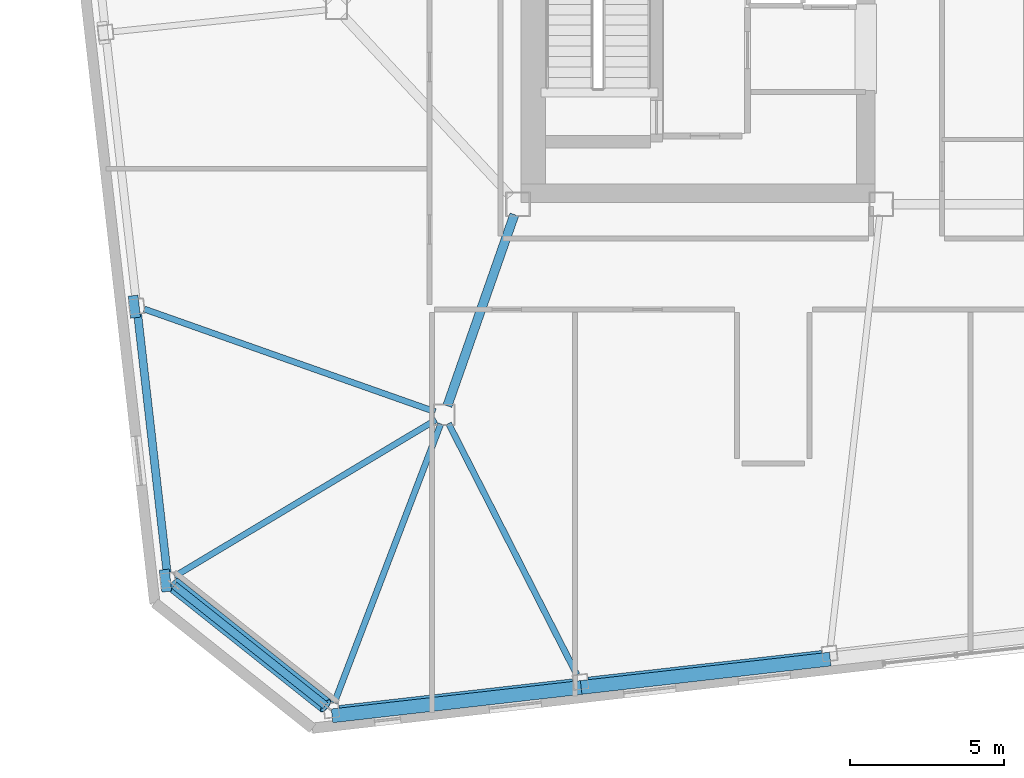
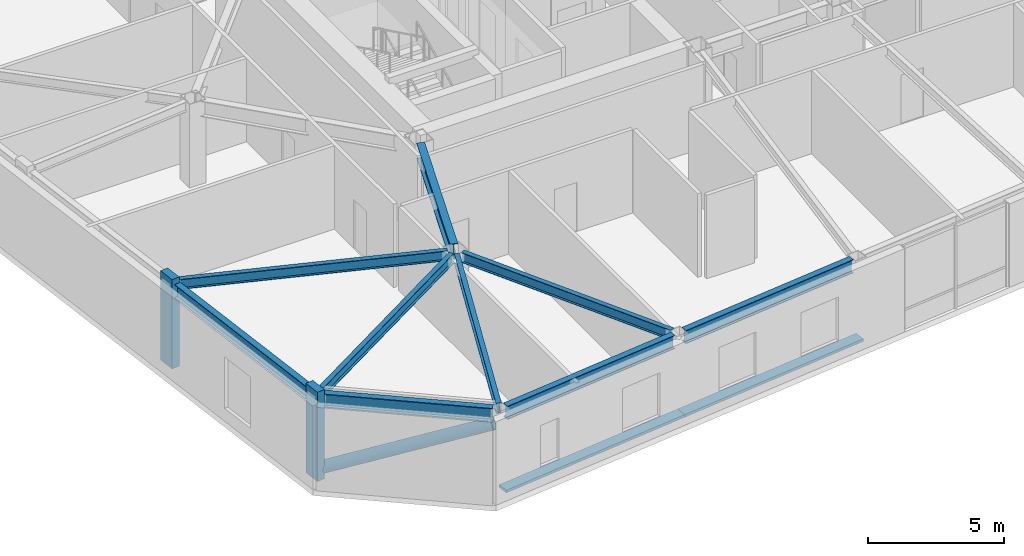
# One storey, part 3 of 19: 9 beams, 5 members.
"""IFC4 building model written with IfcOpenShell, lengths in metres."""

from ifc_helpers import new_model, si_unit, direction, frame, origin, origin_2d, place, context, subcontext, project, spatial, rectangle, hollow_circle, i_section, extrude, material, material_profile, profile_set, type_object, element, save


model = new_model("IFC4")

# Units and contexts
model_context = context("Model", 3, precision=1e-05, world=origin(), true_north=direction((0.0, 1.0)))
body_context = subcontext(model_context, "Body", "Model", "MODEL_VIEW")
ifc_project = project(units=[si_unit("LENGTHUNIT", "METRE"), si_unit("AREAUNIT", "SQUARE_METRE"), si_unit("VOLUMEUNIT", "CUBIC_METRE"), si_unit("PLANEANGLEUNIT", "RADIAN"), si_unit("MASSUNIT", "GRAM", prefix="KILO")], contexts=[model_context])

# Site, building, storey
site_placement = place(None, origin())
site = spatial("IfcSite", under=ifc_project, at=site_placement, CompositionType="ELEMENT")
building_placement = place(site_placement, origin())
building = spatial("IfcBuilding", under=site, at=building_placement, Name="Tavrogorsk Clinical Tower", CompositionType="ELEMENT")
storey_placement = place(building_placement, frame((0.0, 0.0, 263.0)))
storey = spatial("IfcBuildingStorey", under=building, at=storey_placement, Name="L61", CompositionType="ELEMENT", Elevation=263.0)

# Members
ifc_material_1 = material(Name="Anodised aluminium alloy AW-6063", Category="aluminium")
ifc_material_profile_1 = material_profile(ifc_material_1, rectangle(XDim=0.449951171875, YDim=0.1201171875, at=origin_2d()), Name="ALU-SUNSHADE-450x120")
ifc_profile_set_1 = profile_set([ifc_material_profile_1], Name="Anodised aluminium alloy AW-6063")
member_type_1 = type_object("IfcMemberType", Name="ChicagoSunshade_450x120", PredefinedType="USERDEFINED", material=ifc_profile_set_1)
for number, where, z_axis, x_axis, name in (
    (1, (-28.144287109375, -22.981201171875, 0.179931640625), (0.9935729766, 0.113193375116, 0.0), (-0.113193375116, 0.9935729766, 0.0), "L61 South Aluminium Sunshade S1"),
    (2, (-20.048095703125, -22.058837890625, 0.179931640625), (0.9935729766, 0.113193375116, 0.0), (-0.113193375116, 0.9935729766, 0.0), "L61 South Aluminium Sunshade S2"),
):
    element("IfcMember", number, at=place(storey_placement, frame(where, z_axis=z_axis, x_axis=x_axis)), inside=storey, type_object=member_type_1, Name=name, ObjectType="SUNSHADE", PredefinedType="USERDEFINED", context=body_context, shape_type="SweptSolid", body=[
        extrude(rectangle(XDim=0.449951171875, YDim=0.1201171875, at=origin_2d()), origin(), (0.0, 0.0, 1.0), 8.148681640625),
    ])
ifc_material_2 = material(Name="Structural steel S440", Category="steel")
ifc_material_profile_2 = material_profile(ifc_material_2, hollow_circle(Radius=0.25390625, WallThickness=0.02001953125, at=origin_2d()), Name="CHS-508x20")
ifc_profile_set_2 = profile_set([ifc_material_profile_2], Name="Structural steel S440")
member_type_2 = type_object("IfcMemberType", Name="ExoBrace_CHS508", PredefinedType="BRACE", material=ifc_profile_set_2)
member_placement = place(storey_placement, frame((-33.29052734375, -18.725341796875, 0.398193359375), z_axis=(0.723851679348, -0.575789482159, 0.380138420237), x_axis=(0.622522488852, 0.782601910855, 0.0)))
element("IfcMember", 3, at=member_placement, inside=storey, type_object=member_type_2, Name="L61 Corner Exoskeleton Brace W5-S1", PredefinedType="BRACE", context=body_context, shape_type="SweptSolid", body=[
    extrude(hollow_circle(Radius=0.25390625, WallThickness=0.02001953125, at=origin_2d()), origin(), (0.0, 0.0, 1.0), 6.8232421875),
])

# Beams
ifc_material_3 = material(Name="Structural steel S355", Category="steel")
ifc_material_profile_3 = material_profile(ifc_material_3, i_section(OverallWidth=0.199951171875, OverallDepth=0.449951171875, WebThickness=0.011474609375, FlangeThickness=0.01806640625, at=origin_2d()), Name="B-450x200x11.5x18")
ifc_profile_set_3 = profile_set([ifc_material_profile_3], Name="Structural steel S355")
beam_type_1 = type_object("IfcBeamType", Name="FloorBeam_B450", PredefinedType="BEAM", material=ifc_profile_set_3)
beam_1_placement = place(storey_placement, frame((-24.610595703125, -13.489501953125, 3.514892578125), z_axis=(-0.356548354426, -0.93427687061, 0.0), x_axis=(0.93427687061, -0.356548354426, 0.0)))
element("IfcBeam", 4, at=beam_1_placement, inside=storey, type_object=beam_type_1, Name="L61 Radial Floor Beam S1", PredefinedType="BEAM", context=body_context, shape_type="SweptSolid", body=[
    extrude(i_section(OverallWidth=0.199951171875, OverallDepth=0.449951171875, WebThickness=0.011474609375, FlangeThickness=0.01806640625, at=origin_2d()), origin(), (0.0, 0.0, 1.0), 9.710205078125),
])
beam_2_placement = place(storey_placement, frame((-24.359130859375, -13.47607421875, 3.514892578125), z_axis=(0.454709818127, -0.890639647275, 0.0), x_axis=(0.890639647275, 0.454709818127, 0.0)))
element("IfcBeam", 5, at=beam_2_placement, inside=storey, type_object=beam_type_1, Name="L61 Radial Floor Beam S2", PredefinedType="BEAM", context=body_context, shape_type="SweptSolid", body=[
    extrude(i_section(OverallWidth=0.199951171875, OverallDepth=0.449951171875, WebThickness=0.011474609375, FlangeThickness=0.01806640625, at=origin_2d()), origin(), (0.0, 0.0, 1.0), 9.177978515625),
])
beam_3_placement = place(storey_placement, frame((-24.792236328125, -13.096923828125, 3.514892578125), z_axis=(-0.943014153926, 0.332752619067, 0.0), x_axis=(-0.332752619067, -0.943014153926, 0.0)))
element("IfcBeam", 6, at=beam_3_placement, inside=storey, type_object=beam_type_1, Name="L61 Radial Floor Beam W4", PredefinedType="BEAM", context=body_context, shape_type="SweptSolid", body=[
    extrude(i_section(OverallWidth=0.199951171875, OverallDepth=0.449951171875, WebThickness=0.011474609375, FlangeThickness=0.01806640625, at=origin_2d()), origin(), (0.0, 0.0, 1.0), 10.027587890625),
])
beam_4_placement = place(storey_placement, frame((-24.765869140625, -13.359375, 3.514892578125), z_axis=(-0.857906237315, -0.513806274754, 0.0), x_axis=(0.513806274754, -0.857906237315, 0.0)))
element("IfcBeam", 7, at=beam_4_placement, inside=storey, type_object=beam_type_1, Name="L61 Radial Floor Beam W5", PredefinedType="BEAM", context=body_context, shape_type="SweptSolid", body=[
    extrude(i_section(OverallWidth=0.199951171875, OverallDepth=0.449951171875, WebThickness=0.011474609375, FlangeThickness=0.01806640625, at=origin_2d()), origin(), (0.0, 0.0, 1.0), 9.896240234375),
])

# Members
ifc_material_4 = material(Name="Precast concrete B45 with limestone cladding", Category="masonry")
ifc_material_profile_4 = material_profile(ifc_material_4, rectangle(XDim=0.320068359375, YDim=0.719970703125, at=origin_2d()), Name="LIMESTONE-FIN-320x720")
ifc_profile_set_4 = profile_set([ifc_material_profile_4], Name="Precast concrete B45 with limestone cladding")
member_type_3 = type_object("IfcMemberType", Name="LimestonePleatFin_320x720", PredefinedType="USERDEFINED", material=ifc_profile_set_4)
for number, where, z_axis, x_axis, name in (
    (8, (-34.571044921875, -9.683349609375, 0.0), (0.0, 0.0, 1.0), (0.993571855677, 0.113203213768, 0.0), "L61 W Pleated Stone Fin 3"),
    (9, (-33.556640625, -18.585693359375, 0.0), (0.0, 0.0, 1.0), (0.993571855677, 0.113203213768, 0.0), "L61 W Pleated Stone Fin 4"),
):
    element("IfcMember", number, at=place(storey_placement, frame(where, z_axis=z_axis, x_axis=x_axis)), inside=storey, type_object=member_type_3, Name=name, ObjectType="FIN", PredefinedType="USERDEFINED", context=body_context, shape_type="SweptSolid", body=[
        extrude(rectangle(XDim=0.320068359375, YDim=0.719970703125, at=origin_2d()), origin(), (0.0, 0.0, 1.0), 4.0),
    ])

# Beams
ifc_material_5 = material(Name="Structural steel S390", Category="steel")
ifc_material_profile_5 = material_profile(ifc_material_5, i_section(OverallWidth=0.300048828125, OverallDepth=0.699951171875, WebThickness=0.01708984375, FlangeThickness=0.028076171875, at=origin_2d()), Name="B-700x300x17x28")
ifc_profile_set_5 = profile_set([ifc_material_profile_5], Name="Structural steel S390")
beam_type_2 = type_object("IfcBeamType", Name="PrimaryGirder_B700", PredefinedType="USERDEFINED", material=ifc_profile_set_5)
beam_5_placement = place(storey_placement, frame((-24.3974609375, -12.907470703125, 3.389892578125), z_axis=(0.330654121425, 0.943752007672, 0.0), x_axis=(-0.943752007672, 0.330654121425, 0.0)))
element("IfcBeam", 10, at=beam_5_placement, inside=storey, type_object=beam_type_2, Name="L61 Spine Link Girder OPG-1", ObjectType="GIRDER", PredefinedType="USERDEFINED", context=body_context, shape_type="SweptSolid", body=[
    extrude(i_section(OverallWidth=0.300048828125, OverallDepth=0.699951171875, WebThickness=0.01708984375, FlangeThickness=0.028076171875, at=origin_2d()), origin(), (0.0, 0.0, 1.0), 6.58837890625),
])
ifc_material_6 = material(Name="Structural steel S390", Category="steel")
ifc_material_profile_6 = material_profile(ifc_material_6, i_section(OverallWidth=0.260009765625, OverallDepth=0.60009765625, WebThickness=0.014892578125, FlangeThickness=0.02392578125, at=origin_2d()), Name="B-600x260x15x24")
ifc_profile_set_6 = profile_set([ifc_material_profile_6], Name="Structural steel S390")
beam_type_3 = type_object("IfcBeamType", Name="SpandrelBeam_B600", PredefinedType="SPANDREL", material=ifc_profile_set_6)
for number, where, z_axis, x_axis, name in (
    (11, (-27.908447265625, -22.773193359375, 3.43994140625), (0.993575697004, 0.113169493787, 0.0), (-0.113169493787, 0.993575697004, 0.0), "L61 Perimeter Spandrel S1-S2"),
    (12, (-19.812255859375, -21.850830078125, 3.43994140625), (0.993572099834, 0.113201070804, 0.0), (-0.113201070804, 0.993572099834, 0.0), "L61 Perimeter Spandrel S2-S3"),
):
    element("IfcBeam", number, at=place(storey_placement, frame(where, z_axis=z_axis, x_axis=x_axis)), inside=storey, type_object=beam_type_3, Name=name, PredefinedType="SPANDREL", context=body_context, shape_type="SweptSolid", body=[
        extrude(i_section(OverallWidth=0.260009765625, OverallDepth=0.60009765625, WebThickness=0.014892578125, FlangeThickness=0.02392578125, at=origin_2d()), origin(), (0.0, 0.0, 1.0), 7.632568359375),
    ])
beam_6_placement = place(storey_placement, frame((-34.46240234375, -9.9306640625, 3.43994140625), z_axis=(0.113223671813, -0.993569524563, 0.0), x_axis=(0.993569524563, 0.113223671813, 0.0)))
element("IfcBeam", 13, at=beam_6_placement, inside=storey, type_object=beam_type_3, Name="L61 Perimeter Spandrel W4-W5", PredefinedType="SPANDREL", context=body_context, shape_type="SweptSolid", body=[
    extrude(i_section(OverallWidth=0.260009765625, OverallDepth=0.60009765625, WebThickness=0.014892578125, FlangeThickness=0.02392578125, at=origin_2d()), origin(), (0.0, 0.0, 1.0), 8.44384765625),
])
beam_7_placement = place(storey_placement, frame((-33.275390625, -18.7373046875, 3.43994140625), z_axis=(0.782608811853, -0.622513813188, 0.0), x_axis=(0.622513813188, 0.782608811853, 0.0)))
element("IfcBeam", 14, at=beam_7_placement, inside=storey, type_object=beam_type_3, Name="L61 Perimeter Spandrel W5-S1", PredefinedType="SPANDREL", context=body_context, shape_type="SweptSolid", body=[
    extrude(i_section(OverallWidth=0.260009765625, OverallDepth=0.60009765625, WebThickness=0.014892578125, FlangeThickness=0.02392578125, at=origin_2d()), origin(), (0.0, 0.0, 1.0), 6.272216796875),
])

save(model, "model.ifc")
